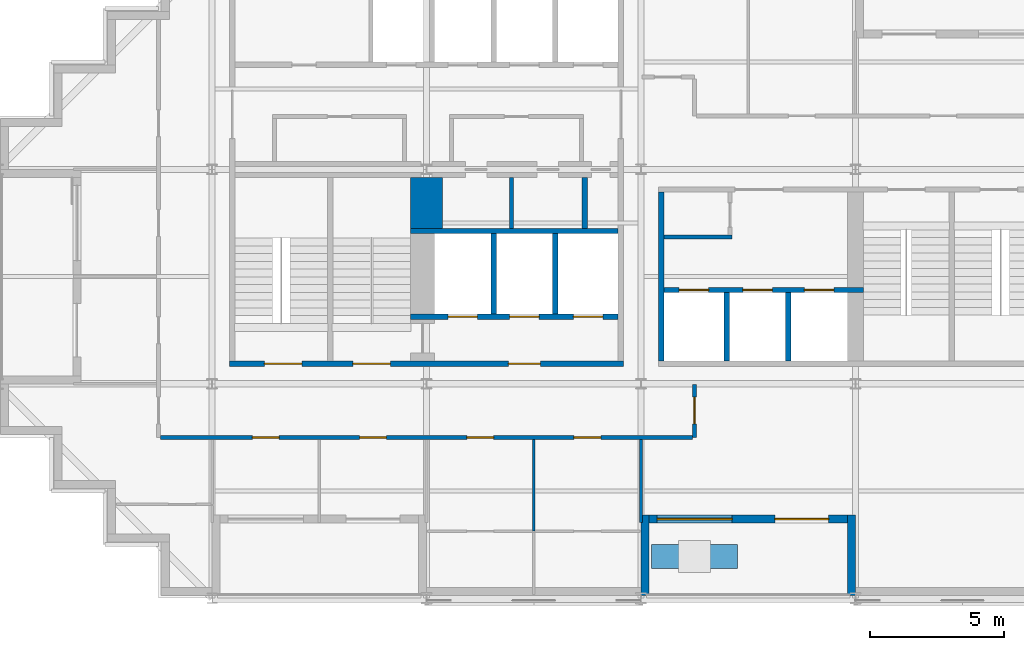
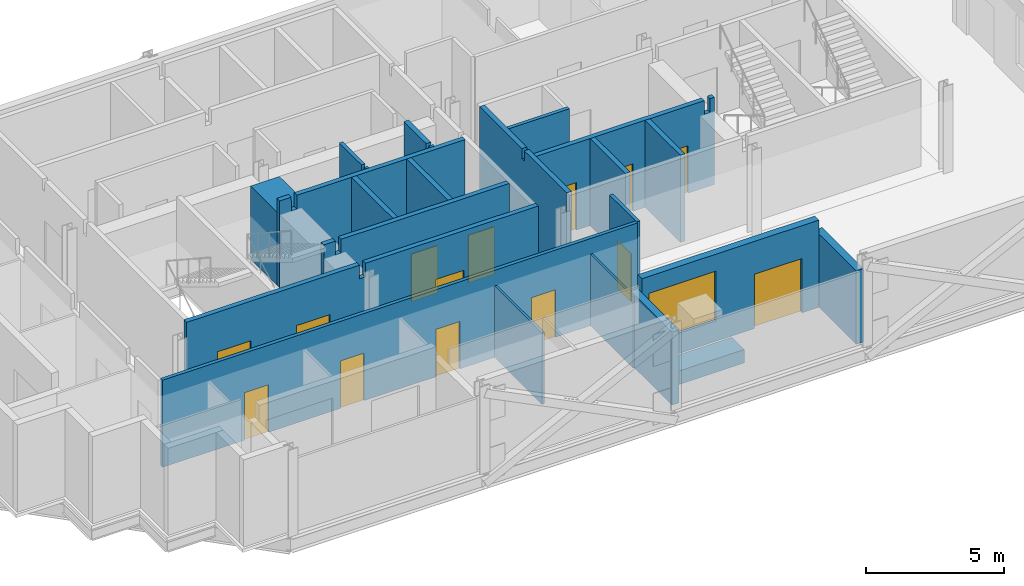
# One storey, part 3 of 8: 21 walls, 15 doors, 1 window, 16 openings.
"""IFC4 building model written with IfcOpenShell, lengths in metres."""

from ifc_helpers import new_model, si_unit, direction, frame, frame_2d, origin, place, context, subcontext, project, spatial, polyline, rectangle, outline, extrude, material, layer, layer_set, type_object, element, fill, save


model = new_model("IFC4")

# Units and contexts
model_context = context("Model", 3, precision=1e-05, world=origin(), true_north=direction((0.0, 1.0)))
body_context = subcontext(model_context, "Body", "Model", "MODEL_VIEW")
ifc_project = project(units=[si_unit("LENGTHUNIT", "METRE"), si_unit("AREAUNIT", "SQUARE_METRE"), si_unit("VOLUMEUNIT", "CUBIC_METRE"), si_unit("PLANEANGLEUNIT", "RADIAN"), si_unit("MASSUNIT", "GRAM", prefix="KILO")], contexts=[model_context])

# Site, building, storey
site_placement = place(None, origin())
site = spatial("IfcSite", under=ifc_project, at=site_placement, CompositionType="ELEMENT")
building_placement = place(site_placement, origin())
building = spatial("IfcBuilding", under=site, at=building_placement, Name="Immortelle Media Tower", CompositionType="ELEMENT")
storey_placement = place(building_placement, frame((0.0, 0.0, 193.0)))
storey = spatial("IfcBuildingStorey", under=building, at=storey_placement, Name="L40", CompositionType="ELEMENT", Elevation=193.0)

# Walls
ifc_material_1 = material(Name="Fire-rated gypsum board", Category="gypsum")
ifc_layer_1 = layer(ifc_material_1, 0.02490234375)
ifc_material_2 = material(Name="Steel ASTM A653 SS Gr 50 stud frame with mineral wool", Category="steel")
ifc_layer_2 = layer(ifc_material_2, 0.10009765625)
ifc_layer_3 = layer(ifc_material_1, 0.02490234375)
ifc_layer_set_1 = layer_set([ifc_layer_1, ifc_layer_2, ifc_layer_3], Name="Steel ASTM A653 SS Gr 50 stud frame with mineral wool")
wall_type_1 = type_object("IfcWallType", Name="Core partition 150", PredefinedType="PARTITIONING", material=ifc_layer_set_1)
wall_1_placement = place(storey_placement, frame((19.175048828125, 13.800048828125, 0.0), z_axis=(0.0, 0.0, 1.0), x_axis=(0.0, 1.0, 0.0)))
element("IfcWall", 1, at=wall_1_placement, inside=storey, type_object=wall_type_1, Name="Core partition SW", PredefinedType="PARTITIONING", context=body_context, shape_type="SweptSolid", body=[
    extrude(outline(polyline([(0.0, 0.0), (1.89990234375, 0.0), (1.89990234375, 3.85009765625), (0.281494140625, 3.85009765625), (0.280517578125, 3.388916015625), (0.119384765625, 3.388916015625), (0.118408203125, 3.85009765625), (0.0, 3.85009765625), (0.0, 0.0)])), frame((0.0, 0.074951171875, 0.0), z_axis=(0.0, -1.0, 0.0), x_axis=(1.0, 0.0, 0.0)), (0.0, 0.0, 1.0), 0.14990234375),
])
wall_2_placement = place(storey_placement, frame((24.85009765625, 13.47509765625, 0.0), z_axis=(0.0, 0.0, 1.0), x_axis=(1.0, 0.0, 0.0)))
element("IfcWall", 2, at=wall_2_placement, inside=storey, type_object=wall_type_1, Name="Core partition SE", PredefinedType="PARTITIONING", context=body_context, shape_type="SweptSolid", body=[
    extrude(rectangle(XDim=2.5498046875, YDim=0.14990234375, at=frame_2d((1.27490234375, 0.0))), origin(), (0.0, 0.0, 1.0), 3.85009765625),
])

# Wall, openings, doors
ifc_layer_4 = layer(ifc_material_1, 0.03759765625)
ifc_layer_5 = layer(ifc_material_2, 0.125)
ifc_layer_6 = layer(ifc_material_1, 0.03759765625)
ifc_layer_set_2 = layer_set([ifc_layer_4, ifc_layer_5, ifc_layer_6], Name="Steel ASTM A653 SS Gr 50 stud frame with mineral wool")
wall_type_2 = type_object("IfcWallType", Name="Core shaft wall 200", PredefinedType="PARTITIONING", material=ifc_layer_set_2)
wall_3_placement = place(storey_placement, frame((15.39990234375, 10.5, 0.0), z_axis=(0.0, 0.0, 1.0), x_axis=(1.0, 0.0, 0.0)))
wall_3 = element("IfcWall", 3, at=wall_3_placement, inside=storey, type_object=wall_type_2, Name="Core shaft wall SW", PredefinedType="PARTITIONING", context=body_context, shape_type="SweptSolid", body=[
    extrude(outline(polyline([(0.0, 0.0), (7.75, 0.0), (7.75, 3.85009765625), (0.718994140625, 3.85009765625), (0.718017578125, 3.241943359375), (0.48193359375, 3.241943359375), (0.48095703125, 3.85009765625), (0.0, 3.85009765625), (0.0, 0.0)])), frame((0.0, 0.10009765625, 0.0), z_axis=(0.0, -1.0, 0.0), x_axis=(1.0, 0.0, 0.0)), (0.0, 0.0, 1.0), 0.199951171875),
])
opening_1_placement = place(wall_3_placement, frame((1.39990234375, 0.0, 0.0)))
opening_1 = element("IfcOpeningElement", 4, at=opening_1_placement, cuts=wall_3, Name="Opening LD", PredefinedType="OPENING", context=body_context, shape_type="SweptSolid", body=[
    extrude(rectangle(XDim=1.10009765625, YDim=2.10009765625, at=frame_2d((0.550048828125, 1.050048828125))), frame((0.0, 0.10986328125, 0.0), z_axis=(0.0, -1.0, 0.0), x_axis=(1.0, 0.0, 0.0)), (0.0, 0.0, 1.0), 0.219970703125),
])
opening_2_placement = place(wall_3_placement, frame((3.699951171875, 0.0, 0.0)))
opening_2 = element("IfcOpeningElement", 5, at=opening_2_placement, cuts=wall_3, Name="Opening LD", PredefinedType="OPENING", context=body_context, shape_type="SweptSolid", body=[
    extrude(rectangle(XDim=1.10009765625, YDim=2.10009765625, at=frame_2d((0.550048828125, 1.050048828125))), frame((0.0, 0.10986328125, 0.0), z_axis=(0.0, -1.0, 0.0), x_axis=(1.0, 0.0, 0.0)), (0.0, 0.0, 1.0), 0.219970703125),
])
opening_3_placement = place(wall_3_placement, frame((6.074951171875, 0.0, 0.0)))
opening_3 = element("IfcOpeningElement", 6, at=opening_3_placement, cuts=wall_3, Name="Opening LD", PredefinedType="OPENING", context=body_context, shape_type="SweptSolid", body=[
    extrude(rectangle(XDim=1.10009765625, YDim=2.10009765625, at=frame_2d((0.550048828125, 1.050048828125))), frame((0.0, 0.10986328125, 0.0), z_axis=(0.0, -1.0, 0.0), x_axis=(1.0, 0.0, 0.0)), (0.0, 0.0, 1.0), 0.219970703125),
])
ifc_material_3 = material(Name="Stainless steel AISI 304", Category="steel")
door_type_1 = type_object("IfcDoorType", Name="Landing door 1100 x 2100", OperationType="SLIDING_TO_LEFT", PredefinedType="NOTDEFINED", material=ifc_material_3)
door_1_placement = place(opening_1_placement, origin())
door_1 = element("IfcDoor", 7, at=door_1_placement, inside=storey, type_object=door_type_1, Name="Landing door FF1 L40", OperationType="SLIDING_TO_LEFT", OverallHeight=2.10009765625, OverallWidth=1.10009765625, PredefinedType="NOTDEFINED", context=body_context, shape_type="SweptSolid", body=[
    extrude(rectangle(XDim=1.10009765625, YDim=2.10009765625, at=frame_2d((0.550048828125, 1.050048828125))), frame((0.0, 0.02490234375, 0.0), z_axis=(0.0, -1.0, 0.0), x_axis=(1.0, 0.0, 0.0)), (0.0, 0.0, 1.0), 0.050048828125),
])
fill(opening_1, door_1)
door_2_placement = place(opening_2_placement, origin())
door_2 = element("IfcDoor", 8, at=door_2_placement, inside=storey, type_object=door_type_1, Name="Landing door FF2 L40", OperationType="SLIDING_TO_LEFT", OverallHeight=2.10009765625, OverallWidth=1.10009765625, PredefinedType="NOTDEFINED", context=body_context, shape_type="SweptSolid", body=[
    extrude(rectangle(XDim=1.10009765625, YDim=2.10009765625, at=frame_2d((0.550048828125, 1.050048828125))), frame((0.0, 0.02490234375, 0.0), z_axis=(0.0, -1.0, 0.0), x_axis=(1.0, 0.0, 0.0)), (0.0, 0.0, 1.0), 0.050048828125),
])
fill(opening_2, door_2)
door_3_placement = place(opening_3_placement, origin())
door_3 = element("IfcDoor", 9, at=door_3_placement, inside=storey, type_object=door_type_1, Name="Landing door FF3 L40", OperationType="SLIDING_TO_LEFT", OverallHeight=2.10009765625, OverallWidth=1.10009765625, PredefinedType="NOTDEFINED", context=body_context, shape_type="SweptSolid", body=[
    extrude(rectangle(XDim=1.10009765625, YDim=2.10009765625, at=frame_2d((0.550048828125, 1.050048828125))), frame((0.0, 0.02490234375, 0.0), z_axis=(0.0, -1.0, 0.0), x_axis=(1.0, 0.0, 0.0)), (0.0, 0.0, 1.0), 0.050048828125),
])
fill(opening_3, door_3)

# Walls
wall_4_placement = place(storey_placement, frame((15.39990234375, 13.699951171875, 0.0), z_axis=(0.0, 0.0, 1.0), x_axis=(1.0, 0.0, 0.0)))
element("IfcWall", 10, at=wall_4_placement, inside=storey, type_object=wall_type_2, Name="Core shaft wall SW", PredefinedType="PARTITIONING", context=body_context, shape_type="SweptSolid", body=[
    extrude(outline(polyline([(0.0, 0.0), (7.75, 0.0), (7.75, 3.85009765625), (0.718994140625, 3.85009765625), (0.718017578125, 3.241943359375), (0.48193359375, 3.241943359375), (0.48095703125, 3.85009765625), (0.0, 3.85009765625), (0.0, 0.0)])), frame((0.0, 0.10009765625, 0.0), z_axis=(0.0, -1.0, 0.0), x_axis=(1.0, 0.0, 0.0)), (0.0, 0.0, 1.0), 0.199951171875),
])
for number, where, z_axis, x_axis, name in (
    (11, (18.5, 10.60009765625, 0.0), (0.0, 0.0, 1.0), (0.0, 1.0, 0.0), "Core shaft wall SW"),
    (12, (20.800048828125, 10.60009765625, 0.0), (0.0, 0.0, 1.0), (0.0, 1.0, 0.0), "Core shaft wall SW"),
):
    element("IfcWall", number, at=place(storey_placement, frame(where, z_axis=z_axis, x_axis=x_axis)), inside=storey, type_object=wall_type_2, Name=name, PredefinedType="PARTITIONING", context=body_context, shape_type="SweptSolid", body=[
        extrude(rectangle(XDim=3.0, YDim=0.199951171875, at=frame_2d((1.5, 0.0))), origin(), (0.0, 0.0, 1.0), 3.85009765625),
    ])
wall_5_placement = place(storey_placement, frame((21.89990234375, 13.800048828125, 0.0), z_axis=(0.0, 0.0, 1.0), x_axis=(0.0, 1.0, 0.0)))
element("IfcWall", 13, at=wall_5_placement, inside=storey, type_object=wall_type_2, Name="Core shaft wall SW", PredefinedType="PARTITIONING", context=body_context, shape_type="SweptSolid", body=[
    extrude(outline(polyline([(0.0, 0.0), (1.89990234375, 0.0), (1.89990234375, 3.85009765625), (0.281494140625, 3.85009765625), (0.280517578125, 3.388916015625), (0.119384765625, 3.388916015625), (0.118408203125, 3.85009765625), (0.0, 3.85009765625), (0.0, 0.0)])), frame((0.0, 0.10009765625, 0.0), z_axis=(0.0, -1.0, 0.0), x_axis=(1.0, 0.0, 0.0)), (0.0, 0.0, 1.0), 0.199951171875),
])
wall_6_placement = place(storey_placement, frame((24.75, 8.85009765625, 0.0), z_axis=(0.0, 0.0, 1.0), x_axis=(0.0, 1.0, 0.0)))
element("IfcWall", 14, at=wall_6_placement, inside=storey, type_object=wall_type_2, Name="Core shaft wall SE", PredefinedType="PARTITIONING", context=body_context, shape_type="SweptSolid", body=[
    extrude(outline(polyline([(0.0, 0.0), (6.2998046875, 0.0), (6.300048828125, 3.85009765625), (3.2314453125, 3.85009765625), (3.23046875, 3.388916015625), (3.069580078125, 3.388916015625), (3.068603515625, 3.85009765625), (0.0, 3.85009765625), (0.0, 0.0)])), frame((0.0, 0.10009765625, 0.0), z_axis=(0.0, -1.0, 0.0), x_axis=(1.0, 0.0, 0.0)), (0.0, 0.0, 1.0), 0.199951171875),
])

# Wall, openings, doors
wall_7_placement = place(storey_placement, frame((24.85009765625, 11.5, 0.0), z_axis=(0.0, 0.0, 1.0), x_axis=(1.0, 0.0, 0.0)))
wall_7 = element("IfcWall", 15, at=wall_7_placement, inside=storey, type_object=wall_type_2, Name="Core shaft wall SE", PredefinedType="PARTITIONING", context=body_context, shape_type="SweptSolid", body=[
    extrude(outline(polyline([(0.0, 0.0), (7.449951171875, 0.0), (7.449951171875, 3.85009765625), (7.26904296875, 3.85009765625), (7.26806640625, 3.241943359375), (7.031982421875, 3.241943359375), (7.031005859375, 3.85009765625), (0.0, 3.85009765625), (0.0, 0.0)])), frame((0.0, 0.10009765625, 0.0), z_axis=(0.0, -1.0, 0.0), x_axis=(1.0, 0.0, 0.0)), (0.0, 0.0, 1.0), 0.199951171875),
])
opening_4_placement = place(wall_7_placement, frame((0.574951171875, 0.0, 0.0)))
opening_4 = element("IfcOpeningElement", 16, at=opening_4_placement, cuts=wall_7, Name="Opening LD", PredefinedType="OPENING", context=body_context, shape_type="SweptSolid", body=[
    extrude(rectangle(XDim=1.10009765625, YDim=2.10009765625, at=frame_2d((0.550048828125, 1.050048828125))), frame((0.0, 0.10986328125, 0.0), z_axis=(0.0, -1.0, 0.0), x_axis=(1.0, 0.0, 0.0)), (0.0, 0.0, 1.0), 0.219970703125),
])
opening_5_placement = place(wall_7_placement, frame((2.949951171875, 0.0, 0.0)))
opening_5 = element("IfcOpeningElement", 17, at=opening_5_placement, cuts=wall_7, Name="Opening LD", PredefinedType="OPENING", context=body_context, shape_type="SweptSolid", body=[
    extrude(rectangle(XDim=1.10009765625, YDim=2.10009765625, at=frame_2d((0.550048828125, 1.050048828125))), frame((0.0, 0.10986328125, 0.0), z_axis=(0.0, -1.0, 0.0), x_axis=(1.0, 0.0, 0.0)), (0.0, 0.0, 1.0), 0.219970703125),
])
opening_6_placement = place(wall_7_placement, frame((5.25, 0.0, 0.0)))
opening_6 = element("IfcOpeningElement", 18, at=opening_6_placement, cuts=wall_7, Name="Opening LD", PredefinedType="OPENING", context=body_context, shape_type="SweptSolid", body=[
    extrude(rectangle(XDim=1.10009765625, YDim=2.10009765625, at=frame_2d((0.550048828125, 1.050048828125))), frame((0.0, 0.10986328125, 0.0), z_axis=(0.0, -1.0, 0.0), x_axis=(1.0, 0.0, 0.0)), (0.0, 0.0, 1.0), 0.219970703125),
])
door_4_placement = place(opening_4_placement, origin())
door_4 = element("IfcDoor", 19, at=door_4_placement, inside=storey, type_object=door_type_1, Name="Landing door HS1 L40", OperationType="SLIDING_TO_LEFT", OverallHeight=2.10009765625, OverallWidth=1.10009765625, PredefinedType="NOTDEFINED", context=body_context, shape_type="SweptSolid", body=[
    extrude(rectangle(XDim=1.10009765625, YDim=2.10009765625, at=frame_2d((0.550048828125, 1.050048828125))), frame((0.0, 0.02490234375, 0.0), z_axis=(0.0, -1.0, 0.0), x_axis=(1.0, 0.0, 0.0)), (0.0, 0.0, 1.0), 0.050048828125),
])
fill(opening_4, door_4)
door_5_placement = place(opening_5_placement, origin())
door_5 = element("IfcDoor", 20, at=door_5_placement, inside=storey, type_object=door_type_1, Name="Landing door HS2 L40", OperationType="SLIDING_TO_LEFT", OverallHeight=2.10009765625, OverallWidth=1.10009765625, PredefinedType="NOTDEFINED", context=body_context, shape_type="SweptSolid", body=[
    extrude(rectangle(XDim=1.10009765625, YDim=2.10009765625, at=frame_2d((0.550048828125, 1.050048828125))), frame((0.0, 0.02490234375, 0.0), z_axis=(0.0, -1.0, 0.0), x_axis=(1.0, 0.0, 0.0)), (0.0, 0.0, 1.0), 0.050048828125),
])
fill(opening_5, door_5)
door_6_placement = place(opening_6_placement, origin())
door_6 = element("IfcDoor", 21, at=door_6_placement, inside=storey, type_object=door_type_1, Name="Landing door HS3 L40", OperationType="SLIDING_TO_LEFT", OverallHeight=2.10009765625, OverallWidth=1.10009765625, PredefinedType="NOTDEFINED", context=body_context, shape_type="SweptSolid", body=[
    extrude(rectangle(XDim=1.10009765625, YDim=2.10009765625, at=frame_2d((0.550048828125, 1.050048828125))), frame((0.0, 0.02490234375, 0.0), z_axis=(0.0, -1.0, 0.0), x_axis=(1.0, 0.0, 0.0)), (0.0, 0.0, 1.0), 0.050048828125),
])
fill(opening_6, door_6)

# Walls
for number, where, z_axis, x_axis, name in (
    (22, (27.199951171875, 8.85009765625, 0.0), (0.0, 0.0, 1.0), (0.0, 1.0, 0.0), "Core shaft wall SE"),
    (23, (29.5, 8.85009765625, 0.0), (0.0, 0.0, 1.0), (0.0, 1.0, 0.0), "Core shaft wall SE"),
):
    element("IfcWall", number, at=place(storey_placement, frame(where, z_axis=z_axis, x_axis=x_axis)), inside=storey, type_object=wall_type_2, Name=name, PredefinedType="PARTITIONING", context=body_context, shape_type="SweptSolid", body=[
        extrude(rectangle(XDim=2.5498046875, YDim=0.199951171875, at=frame_2d((1.27490234375, 0.0))), origin(), (0.0, 0.0, 1.0), 3.85009765625),
    ])

# Wall, openings, doors
ifc_layer_7 = layer(ifc_material_1, 0.012451171875)
ifc_layer_8 = layer(ifc_material_2, 0.125)
ifc_layer_9 = layer(ifc_material_1, 0.012451171875)
ifc_layer_set_3 = layer_set([ifc_layer_7, ifc_layer_8, ifc_layer_9], Name="Steel ASTM A653 SS Gr 50 stud frame with mineral wool")
wall_type_3 = type_object("IfcWallType", Name="Corridor wall 150", PredefinedType="PARTITIONING", material=ifc_layer_set_3)
wall_8_placement = place(storey_placement, frame((6.074951171875, 6.0, 0.0), z_axis=(0.0, 0.0, 1.0), x_axis=(1.0, 0.0, 0.0)))
wall_8 = element("IfcWall", 24, at=wall_8_placement, inside=storey, type_object=wall_type_3, Name="Partition L40-011", PredefinedType="PARTITIONING", context=body_context, shape_type="SweptSolid", body=[
    extrude(rectangle(XDim=19.85009765625, YDim=0.14990234375, at=frame_2d((9.925048828125, 0.0))), origin(), (0.0, 0.0, 1.0), 3.85009765625),
])
opening_7_placement = place(wall_8_placement, frame((12.425048828125, 0.0, 0.0), z_axis=(0.0, 0.0, 1.0), x_axis=(-1.0, 0.0, 0.0)))
opening_7 = element("IfcOpeningElement", 25, at=opening_7_placement, cuts=wall_8, Name="Opening O1-F001", PredefinedType="OPENING", context=body_context, shape_type="SweptSolid", body=[
    extrude(rectangle(XDim=1.0, YDim=2.10009765625, at=frame_2d((0.5, 1.050048828125))), frame((0.0, 0.0849609375, 0.0), z_axis=(0.0, -1.0, 0.0), x_axis=(1.0, 0.0, 0.0)), (0.0, 0.0, 1.0), 0.169921875),
])
opening_8_placement = place(wall_8_placement, frame((16.425048828125, 0.0, 0.0), z_axis=(0.0, 0.0, 1.0), x_axis=(-1.0, 0.0, 0.0)))
opening_8 = element("IfcOpeningElement", 26, at=opening_8_placement, cuts=wall_8, Name="Opening O1-F003", PredefinedType="OPENING", context=body_context, shape_type="SweptSolid", body=[
    extrude(rectangle(XDim=1.0, YDim=2.10009765625, at=frame_2d((0.5, 1.050048828125))), frame((0.0, 0.0849609375, 0.0), z_axis=(0.0, -1.0, 0.0), x_axis=(1.0, 0.0, 0.0)), (0.0, 0.0, 1.0), 0.169921875),
])
opening_9_placement = place(wall_8_placement, frame((4.425048828125, 0.0, 0.0), z_axis=(0.0, 0.0, 1.0), x_axis=(-1.0, 0.0, 0.0)))
opening_9 = element("IfcOpeningElement", 27, at=opening_9_placement, cuts=wall_8, Name="Opening O1-F005", PredefinedType="OPENING", context=body_context, shape_type="SweptSolid", body=[
    extrude(rectangle(XDim=1.0, YDim=2.10009765625, at=frame_2d((0.5, 1.050048828125))), frame((0.0, 0.0849609375, 0.0), z_axis=(0.0, -1.0, 0.0), x_axis=(1.0, 0.0, 0.0)), (0.0, 0.0, 1.0), 0.169921875),
])
opening_10_placement = place(wall_8_placement, frame((8.425048828125, 0.0, 0.0), z_axis=(0.0, 0.0, 1.0), x_axis=(-1.0, 0.0, 0.0)))
opening_10 = element("IfcOpeningElement", 28, at=opening_10_placement, cuts=wall_8, Name="Opening O1-F006", PredefinedType="OPENING", context=body_context, shape_type="SweptSolid", body=[
    extrude(rectangle(XDim=1.0, YDim=2.10009765625, at=frame_2d((0.5, 1.050048828125))), frame((0.0, 0.0849609375, 0.0), z_axis=(0.0, -1.0, 0.0), x_axis=(1.0, 0.0, 0.0)), (0.0, 0.0, 1.0), 0.169921875),
])
ifc_material_4 = material(Name="Timber veneered door leaf, galvanised steel frame ASTM A653", Category="steel")
door_type_2 = type_object("IfcDoorType", Name="Room door 1000 x 2100", OperationType="NOTDEFINED", PredefinedType="DOOR", material=ifc_material_4)
door_7_placement = place(opening_7_placement, origin())
door_7 = element("IfcDoor", 29, at=door_7_placement, inside=storey, type_object=door_type_2, Name="Door O1-F001", OperationType="SINGLE_SWING_LEFT", OverallHeight=2.10009765625, OverallWidth=1.0, PredefinedType="DOOR", context=body_context, shape_type="SweptSolid", body=[
    extrude(rectangle(XDim=1.0, YDim=2.10009765625, at=frame_2d((0.5, 1.050048828125))), frame((0.0, 0.02490234375, 0.0), z_axis=(0.0, -1.0, 0.0), x_axis=(1.0, 0.0, 0.0)), (0.0, 0.0, 1.0), 0.050048828125),
])
fill(opening_7, door_7)
door_8_placement = place(opening_8_placement, origin())
door_8 = element("IfcDoor", 30, at=door_8_placement, inside=storey, type_object=door_type_2, Name="Door O1-F003", OperationType="SINGLE_SWING_LEFT", OverallHeight=2.10009765625, OverallWidth=1.0, PredefinedType="DOOR", context=body_context, shape_type="SweptSolid", body=[
    extrude(rectangle(XDim=1.0, YDim=2.10009765625, at=frame_2d((0.5, 1.050048828125))), frame((0.0, 0.02490234375, 0.0), z_axis=(0.0, -1.0, 0.0), x_axis=(1.0, 0.0, 0.0)), (0.0, 0.0, 1.0), 0.050048828125),
])
fill(opening_8, door_8)
door_9_placement = place(opening_9_placement, origin())
door_9 = element("IfcDoor", 31, at=door_9_placement, inside=storey, type_object=door_type_2, Name="Door O1-F005", OperationType="SINGLE_SWING_RIGHT", OverallHeight=2.10009765625, OverallWidth=1.0, PredefinedType="DOOR", context=body_context, shape_type="SweptSolid", body=[
    extrude(rectangle(XDim=1.0, YDim=2.10009765625, at=frame_2d((0.5, 1.050048828125))), frame((0.0, 0.02490234375, 0.0), z_axis=(0.0, -1.0, 0.0), x_axis=(1.0, 0.0, 0.0)), (0.0, 0.0, 1.0), 0.050048828125),
])
fill(opening_9, door_9)
door_10_placement = place(opening_10_placement, origin())
door_10 = element("IfcDoor", 32, at=door_10_placement, inside=storey, type_object=door_type_2, Name="Door O1-F006", OperationType="SINGLE_SWING_RIGHT", OverallHeight=2.10009765625, OverallWidth=1.0, PredefinedType="DOOR", context=body_context, shape_type="SweptSolid", body=[
    extrude(rectangle(XDim=1.0, YDim=2.10009765625, at=frame_2d((0.5, 1.050048828125))), frame((0.0, 0.02490234375, 0.0), z_axis=(0.0, -1.0, 0.0), x_axis=(1.0, 0.0, 0.0)), (0.0, 0.0, 1.0), 0.050048828125),
])
fill(opening_10, door_10)

# Wall, opening, door
wall_9_placement = place(storey_placement, frame((26.0, 6.0, 0.0), z_axis=(0.0, 0.0, 1.0), x_axis=(0.0, 1.0, 0.0)))
wall_9 = element("IfcWall", 33, at=wall_9_placement, inside=storey, type_object=wall_type_3, Name="Partition L40-013", PredefinedType="PARTITIONING", context=body_context, shape_type="SweptSolid", body=[
    extrude(rectangle(XDim=1.969970703125, YDim=0.14990234375, at=frame_2d((0.98486328125, 0.0))), origin(), (0.0, 0.0, 1.0), 3.85009765625),
])
opening_11_placement = place(wall_9_placement, frame((1.5, 0.0, 0.0), z_axis=(0.0, 0.0, 1.0), x_axis=(-1.0, 0.0, 0.0)))
opening_11 = element("IfcOpeningElement", 34, at=opening_11_placement, cuts=wall_9, Name="Opening O1-F009", PredefinedType="OPENING", context=body_context, shape_type="SweptSolid", body=[
    extrude(rectangle(XDim=1.0, YDim=2.10009765625, at=frame_2d((0.5, 1.050048828125))), frame((0.0, 0.0849609375, 0.0), z_axis=(0.0, -1.0, 0.0), x_axis=(1.0, 0.0, 0.0)), (0.0, 0.0, 1.0), 0.169921875),
])
door_11_placement = place(opening_11_placement, origin())
door_11 = element("IfcDoor", 35, at=door_11_placement, inside=storey, type_object=door_type_2, Name="Door O1-F009", OperationType="SINGLE_SWING_LEFT", OverallHeight=2.10009765625, OverallWidth=1.0, PredefinedType="DOOR", context=body_context, shape_type="SweptSolid", body=[
    extrude(rectangle(XDim=1.0, YDim=2.10009765625, at=frame_2d((0.5, 1.050048828125))), frame((0.0, 0.02490234375, 0.0), z_axis=(0.0, -1.0, 0.0), x_axis=(1.0, 0.0, 0.0)), (0.0, 0.0, 1.0), 0.050048828125),
])
fill(opening_11, door_11)

# Wall, openings, door, window
ifc_material_5 = material(Name="Pale aluminium cladding panel", Category="aluminium")
ifc_layer_10 = layer(ifc_material_5, 0.030029296875)
ifc_layer_11 = layer(ifc_material_2, 0.257568359375)
ifc_material_6 = material(Name="Moisture-resistant gypsum board", Category="gypsum")
ifc_layer_12 = layer(ifc_material_6, 0.012451171875)
ifc_layer_set_4 = layer_set([ifc_layer_10, ifc_layer_11, ifc_layer_12], Name="Steel ASTM A653 SS Gr 50 stud frame with mineral wool")
wall_type_4 = type_object("IfcWallType", Name="Facade wall 300", PredefinedType="SOLIDWALL", material=ifc_layer_set_4)
wall_10_placement = place(storey_placement, frame((24.300048828125, 2.949951171875, 0.0), z_axis=(0.0, 0.0, 1.0), x_axis=(1.0, 0.0, 0.0)))
wall_10 = element("IfcWall", 36, at=wall_10_placement, inside=storey, type_object=wall_type_4, Name="Loggia wall L40 S6", PredefinedType="SOLIDWALL", context=body_context, shape_type="SweptSolid", body=[
    extrude(rectangle(XDim=7.39990234375, YDim=0.300048828125, at=frame_2d((3.699951171875, 0.0))), origin(), (0.0, 0.0, 1.0), 3.85009765625),
])
opening_12_placement = place(wall_10_placement, frame((0.300048828125, 0.0, 0.89990234375)))
opening_12 = element("IfcOpeningElement", 37, at=opening_12_placement, cuts=wall_10, Name="Opening W1", PredefinedType="OPENING", context=body_context, shape_type="SweptSolid", body=[
    extrude(rectangle(XDim=2.800048828125, YDim=2.199951171875, at=frame_2d((1.39990234375, 1.10009765625))), frame((0.0, 0.159912109375, 0.0), z_axis=(0.0, -1.0, 0.0), x_axis=(1.0, 0.0, 0.0)), (0.0, 0.0, 1.0), 0.320068359375),
])
opening_13_placement = place(wall_10_placement, frame((4.699951171875, 0.0, 0.0)))
opening_13 = element("IfcOpeningElement", 38, at=opening_13_placement, cuts=wall_10, Name="Opening O1-E002", PredefinedType="OPENING", context=body_context, shape_type="SweptSolid", body=[
    extrude(rectangle(XDim=2.0, YDim=2.39990234375, at=frame_2d((1.0, 1.199951171875))), frame((0.0, 0.159912109375, 0.0), z_axis=(0.0, -1.0, 0.0), x_axis=(1.0, 0.0, 0.0)), (0.0, 0.0, 1.0), 0.320068359375),
])
ifc_material_7 = material(Name="Aluminium frame, glazed leaves", Category="aluminium")
door_type_3 = type_object("IfcDoorType", Name="Loggia door 2000 x 2400", OperationType="DOUBLE_DOOR_SINGLE_SWING", PredefinedType="DOOR", material=ifc_material_7)
door_12_placement = place(opening_13_placement, origin())
door_12 = element("IfcDoor", 39, at=door_12_placement, inside=storey, type_object=door_type_3, Name="Door O1-E002", OperationType="DOUBLE_DOOR_SINGLE_SWING", OverallHeight=2.39990234375, OverallWidth=2.0, PredefinedType="DOOR", context=body_context, shape_type="SweptSolid", body=[
    extrude(rectangle(XDim=2.0, YDim=2.39990234375, at=frame_2d((1.0, 1.199951171875))), frame((0.0, 0.02490234375, 0.0), z_axis=(0.0, -1.0, 0.0), x_axis=(1.0, 0.0, 0.0)), (0.0, 0.0, 1.0), 0.050048828125),
])
fill(opening_13, door_12)
ifc_material_8 = material(Name="Aluminium frame", Category="aluminium")
window_type = type_object("IfcWindowType", Name="Window 2800 x 2200", PartitioningType="SINGLE_PANEL", PredefinedType="WINDOW", material=ifc_material_8)
window_placement = place(opening_12_placement, origin())
window = element("IfcWindow", 40, at=window_placement, inside=storey, type_object=window_type, Name="Window L40 L40-R6-B2", OverallHeight=2.199951171875, OverallWidth=2.800048828125, PartitioningType="SINGLE_PANEL", PredefinedType="WINDOW", context=body_context, shape_type="SweptSolid", body=[
    extrude(rectangle(XDim=2.800048828125, YDim=2.199951171875, at=frame_2d((1.39990234375, 1.10009765625))), frame((0.0, 0.030029296875, 0.0), z_axis=(0.0, -1.0, 0.0), x_axis=(1.0, 0.0, 0.0)), (0.0, 0.0, 1.0), 0.06005859375),
])
fill(opening_12, window)

# Walls
for number, where, z_axis, x_axis, name in (
    (41, (24.14990234375, 0.10009765625, 0.0), (0.0, 0.0, 1.0), (0.0, 1.0, 0.0), "Loggia cheek wall L40 S"),
    (42, (31.85009765625, 0.10009765625, 0.0), (0.0, 0.0, 1.0), (0.0, 1.0, 0.0), "Loggia cheek wall L40 S"),
):
    element("IfcWall", number, at=place(storey_placement, frame(where, z_axis=z_axis, x_axis=x_axis)), inside=storey, type_object=wall_type_4, Name=name, PredefinedType="SOLIDWALL", context=body_context, shape_type="SweptSolid", body=[
        extrude(rectangle(XDim=3.0, YDim=0.300048828125, at=frame_2d((1.5, 0.0))), origin(), (0.0, 0.0, 1.0), 3.237060546875),
    ])
ifc_material_9 = material(Name="Gypsum board", Category="gypsum")
ifc_layer_13 = layer(ifc_material_9, 0.012451171875)
ifc_layer_14 = layer(ifc_material_2, 0.074951171875)
ifc_layer_15 = layer(ifc_material_9, 0.012451171875)
ifc_layer_set_5 = layer_set([ifc_layer_13, ifc_layer_14, ifc_layer_15], Name="Steel ASTM A653 SS Gr 50 stud frame with mineral wool")
wall_type_5 = type_object("IfcWallType", Name="Partition 100", PredefinedType="PARTITIONING", material=ifc_layer_set_5)
wall_11_placement = place(storey_placement, frame((20.0, 2.5, 0.0), z_axis=(0.0, 0.0, 1.0), x_axis=(0.0, 1.0, 0.0)))
element("IfcWall", 43, at=wall_11_placement, inside=storey, type_object=wall_type_5, Name="Partition L40-004", PredefinedType="PARTITIONING", context=body_context, shape_type="SweptSolid", body=[
    extrude(rectangle(XDim=3.425048828125, YDim=0.10009765625, at=frame_2d((1.71240234375, 0.0))), origin(), (0.0, 0.0, 1.0), 3.156982421875),
])
wall_12_placement = place(storey_placement, frame((24.0, 2.830078125, 0.0), z_axis=(0.0, 0.0, 1.0), x_axis=(0.0, 1.0, 0.0)))
element("IfcWall", 44, at=wall_12_placement, inside=storey, type_object=wall_type_5, Name="Partition L40-008", PredefinedType="PARTITIONING", context=body_context, shape_type="SweptSolid", body=[
    extrude(rectangle(XDim=3.094970703125, YDim=0.10009765625, at=frame_2d((1.54736328125, 0.0))), origin(), (0.0, 0.0, 1.0), 3.156982421875),
])
ifc_layer_16 = layer(ifc_material_5, 0.0029296875)
ifc_material_10 = material(Name="Steel ASTM A572 Gr 50 planter shell", Category="steel")
ifc_layer_17 = layer(ifc_material_10, 0.011962890625)
ifc_material_11 = material(Name="Planting substrate", Category="soil")
ifc_layer_18 = layer(ifc_material_11, 0.873046875)
ifc_layer_19 = layer(ifc_material_10, 0.011962890625)
ifc_layer_set_6 = layer_set([ifc_layer_16, ifc_layer_17, ifc_layer_18, ifc_layer_19], Name="Steel ASTM A572 Gr 50 planter shell")
wall_type_6 = type_object("IfcWallType", Name="Planter wall 900", PredefinedType="SOLIDWALL", material=ifc_layer_set_6)
wall_13_placement = place(storey_placement, frame((24.39990234375, 1.550048828125, 0.0), z_axis=(0.0, 0.0, 1.0), x_axis=(1.0, 0.0, 0.0)))
element("IfcWall", 45, at=wall_13_placement, inside=storey, type_object=wall_type_6, Name="Planter L40 S2", PredefinedType="SOLIDWALL", context=body_context, shape_type="SweptSolid", body=[
    extrude(rectangle(XDim=3.2001953125, YDim=0.89990234375, at=frame_2d((1.60009765625, 0.0))), origin(), (0.0, 0.0, 1.0), 0.60009765625),
])
ifc_material_12 = material(Name="Concrete C60", Category="concrete")
ifc_layer_20 = layer(ifc_material_12, 1.199951171875)
ifc_layer_set_7 = layer_set([ifc_layer_20], Name="Concrete C60")
wall_type_7 = type_object("IfcWallType", Name="Stair shaft wall 1200", PredefinedType="PARTITIONING", material=ifc_layer_set_7)
wall_14_placement = place(storey_placement, frame((16.0, 13.800048828125, 0.0), z_axis=(0.0, 0.0, 1.0), x_axis=(0.0, 1.0, 0.0)))
element("IfcWall", 46, at=wall_14_placement, inside=storey, type_object=wall_type_7, Name="Stair shaft wall SW", PredefinedType="PARTITIONING", context=body_context, shape_type="SweptSolid", body=[
    extrude(rectangle(XDim=1.89990234375, YDim=1.199951171875, at=frame_2d((0.949951171875, 0.0))), origin(), (0.0, 0.0, 1.0), 3.241943359375),
])

# Wall, openings, doors
ifc_layer_21 = layer(ifc_material_12, 0.199951171875)
ifc_layer_set_8 = layer_set([ifc_layer_21], Name="Concrete C60")
wall_type_8 = type_object("IfcWallType", Name="Stair shaft wall 200", PredefinedType="PARTITIONING", material=ifc_layer_set_8)
wall_15_placement = place(storey_placement, frame((8.64990234375, 8.75, 0.0), z_axis=(0.0, 0.0, 1.0), x_axis=(1.0, 0.0, 0.0)))
wall_15 = element("IfcWall", 47, at=wall_15_placement, inside=storey, type_object=wall_type_8, Name="Stair shaft wall SW", PredefinedType="PARTITIONING", context=body_context, shape_type="SweptSolid", body=[
    extrude(outline(polyline([(0.0, 0.0), (14.7001953125, 0.0), (14.699951171875, 3.85009765625), (7.468994140625, 3.85009765625), (7.468017578125, 3.241943359375), (7.23193359375, 3.241943359375), (7.23095703125, 3.85009765625), (0.0, 3.85009765625), (0.0, 0.0)])), frame((0.0, 0.10009765625, 0.0), z_axis=(0.0, -1.0, 0.0), x_axis=(1.0, 0.0, 0.0)), (0.0, 0.0, 1.0), 0.199951171875),
])
opening_14_placement = place(wall_15_placement, frame((1.300048828125, 0.0, 0.0)))
opening_14 = element("IfcOpeningElement", 48, at=opening_14_placement, cuts=wall_15, Name="Opening O1-K002", PredefinedType="OPENING", context=body_context, shape_type="SweptSolid", body=[
    extrude(rectangle(XDim=1.39990234375, YDim=2.10009765625, at=frame_2d((0.699951171875, 1.050048828125))), frame((0.0, 0.10986328125, 0.0), z_axis=(0.0, -1.0, 0.0), x_axis=(1.0, 0.0, 0.0)), (0.0, 0.0, 1.0), 0.219970703125),
])
opening_15_placement = place(wall_15_placement, frame((4.60009765625, 0.0, 0.0)))
opening_15 = element("IfcOpeningElement", 49, at=opening_15_placement, cuts=wall_15, Name="Opening O1-K005", PredefinedType="OPENING", context=body_context, shape_type="SweptSolid", body=[
    extrude(rectangle(XDim=1.39990234375, YDim=2.10009765625, at=frame_2d((0.699951171875, 1.050048828125))), frame((0.0, 0.10986328125, 0.0), z_axis=(0.0, -1.0, 0.0), x_axis=(1.0, 0.0, 0.0)), (0.0, 0.0, 1.0), 0.219970703125),
])
opening_16_placement = place(wall_15_placement, frame((10.39990234375, 0.0, 0.0)))
opening_16 = element("IfcOpeningElement", 50, at=opening_16_placement, cuts=wall_15, Name="Opening O1-K012", PredefinedType="OPENING", context=body_context, shape_type="SweptSolid", body=[
    extrude(rectangle(XDim=1.199951171875, YDim=2.10009765625, at=frame_2d((0.60009765625, 1.050048828125))), frame((0.0, 0.10986328125, 0.0), z_axis=(0.0, -1.0, 0.0), x_axis=(1.0, 0.0, 0.0)), (0.0, 0.0, 1.0), 0.219970703125),
])
ifc_material_13 = material(Name="Galvanised steel door leaf and frame ASTM A653", Category="steel")
door_type_4 = type_object("IfcDoorType", Name="Fire-fighting lobby door 1200 x 2100", OperationType="NOTDEFINED", PredefinedType="NOTDEFINED", material=ifc_material_13)
door_13_placement = place(opening_16_placement, origin())
door_13 = element("IfcDoor", 51, at=door_13_placement, inside=storey, type_object=door_type_4, Name="Fire-fighting lobby O1-K012", OperationType="SINGLE_SWING_LEFT", OverallHeight=2.10009765625, OverallWidth=1.199951171875, PredefinedType="NOTDEFINED", context=body_context, shape_type="SweptSolid", body=[
    extrude(rectangle(XDim=1.199951171875, YDim=2.10009765625, at=frame_2d((0.60009765625, 1.050048828125))), frame((0.0, 0.02490234375, 0.0), z_axis=(0.0, -1.0, 0.0), x_axis=(1.0, 0.0, 0.0)), (0.0, 0.0, 1.0), 0.050048828125),
])
fill(opening_16, door_13)
door_type_5 = type_object("IfcDoorType", Name="Stair door 1400 x 2100", OperationType="DOUBLE_DOOR_SINGLE_SWING", PredefinedType="NOTDEFINED", material=ifc_material_13)
door_14_placement = place(opening_14_placement, origin())
door_14 = element("IfcDoor", 52, at=door_14_placement, inside=storey, type_object=door_type_5, Name="Stair O1-K002", OperationType="DOUBLE_DOOR_SINGLE_SWING", OverallHeight=2.10009765625, OverallWidth=1.39990234375, PredefinedType="NOTDEFINED", context=body_context, shape_type="SweptSolid", body=[
    extrude(rectangle(XDim=1.39990234375, YDim=2.10009765625, at=frame_2d((0.699951171875, 1.050048828125))), frame((0.0, 0.02490234375, 0.0), z_axis=(0.0, -1.0, 0.0), x_axis=(1.0, 0.0, 0.0)), (0.0, 0.0, 1.0), 0.050048828125),
])
fill(opening_14, door_14)
door_15_placement = place(opening_15_placement, origin())
door_15 = element("IfcDoor", 53, at=door_15_placement, inside=storey, type_object=door_type_5, Name="Stair O1-K005", OperationType="DOUBLE_DOOR_SINGLE_SWING", OverallHeight=2.10009765625, OverallWidth=1.39990234375, PredefinedType="NOTDEFINED", context=body_context, shape_type="SweptSolid", body=[
    extrude(rectangle(XDim=1.39990234375, YDim=2.10009765625, at=frame_2d((0.699951171875, 1.050048828125))), frame((0.0, 0.02490234375, 0.0), z_axis=(0.0, -1.0, 0.0), x_axis=(1.0, 0.0, 0.0)), (0.0, 0.0, 1.0), 0.050048828125),
])
fill(opening_15, door_15)

save(model, "model.ifc")
